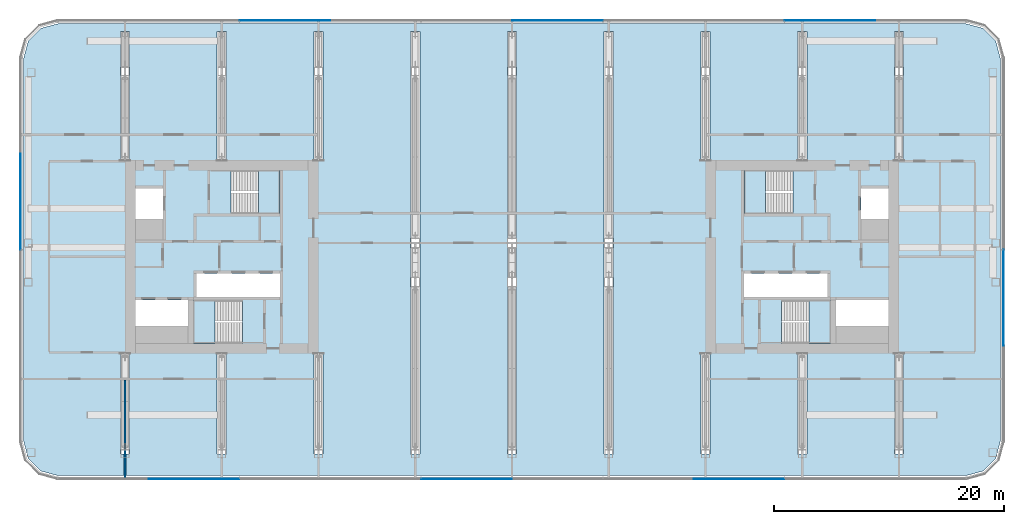
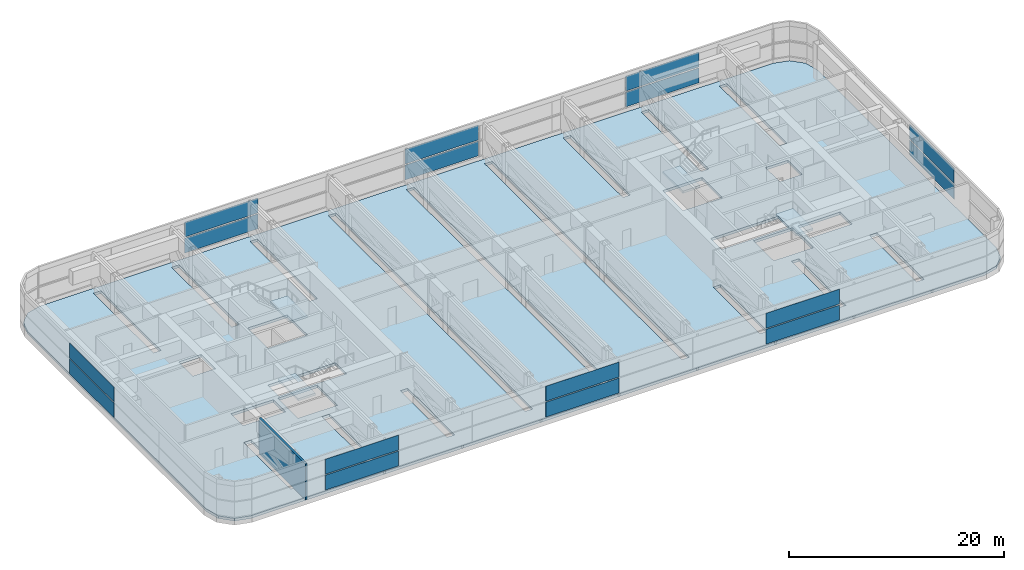
# One storey, part 14 of 33: 16 plates, 5 slabs, 1 wall, 8 elements without a shape of their own.
"""IFC4 building model written with IfcOpenShell, lengths in metres."""

from ifc_helpers import new_model, si_unit, direction, frame, frame_2d, origin, origin_2d, place, context, subcontext, project, spatial, polyline, rectangle, outline, extrude, material, layer, layer_set, type_object, element, aggregate, save


model = new_model("IFC4")

# Units and contexts
model_context = context("Model", 3, precision=1e-05, world=origin(), true_north=direction((0.0, 1.0)))
body_context = subcontext(model_context, "Body", "Model", "MODEL_VIEW")
ifc_project = project(units=[si_unit("LENGTHUNIT", "METRE"), si_unit("AREAUNIT", "SQUARE_METRE"), si_unit("VOLUMEUNIT", "CUBIC_METRE"), si_unit("PLANEANGLEUNIT", "RADIAN"), si_unit("MASSUNIT", "GRAM", prefix="KILO")], contexts=[model_context])

# Site, building, storey
site_placement = place(None, origin())
site = spatial("IfcSite", under=ifc_project, at=site_placement, CompositionType="ELEMENT")
building_placement = place(site_placement, origin())
building = spatial("IfcBuilding", under=site, at=building_placement, Name="Hakoniwa Tower and Hamabe Station Hall", CompositionType="ELEMENT")
storey_placement = place(building_placement, frame((0.0, 0.0, 175.800048828125)))
storey = spatial("IfcBuildingStorey", under=building, at=storey_placement, Name="L50", CompositionType="ELEMENT", Elevation=175.800048828125)

# Stair, slab
ifc_material_1 = material(Name="Concrete C40", Category="concrete")
stair_type = type_object("IfcStairType", Name="ESCAPE STAIR 1800", PredefinedType="HALF_TURN_STAIR", material=ifc_material_1)
stair_1_placement = place(storey_placement, origin())
stair_1 = element("IfcStair", 1, at=stair_1_placement, inside=storey, type_object=stair_type, Name="Escape stair ST-1 L50", PredefinedType="HALF_TURN_STAIR")
ifc_material_2 = material(Name="Concrete C40", Category="concrete")
ifc_layer_1 = layer(ifc_material_2, 0.25)
ifc_layer_set_1 = layer_set([ifc_layer_1], Name="CORE STAIR LANDING 250")
slab_type_1 = type_object("IfcSlabType", Name="CORE STAIR LANDING 250", PredefinedType="LANDING", material=ifc_layer_set_1)
slab_1_placement = place(storey_placement, frame((0.0, 0.0, 1.949951171875)))
slab_1 = element("IfcSlab", 2, at=slab_1_placement, type_object=slab_type_1, Name="ST-1 landing 1", PredefinedType="LANDING", context=body_context, shape_type="SweptSolid", body=[
    extrude(outline(polyline([(-22.0, 3.75), (-20.14990234375, 3.75), (-20.14990234375, 7.5), (-22.0, 7.5), (-22.0, 3.75)])), origin(), (0.0, 0.0, 1.0), 0.25),
])
aggregate(stair_1, [slab_1])

stair_2_placement = place(storey_placement, origin())
stair_2 = element("IfcStair", 3, at=stair_2_placement, inside=storey, type_object=stair_type, Name="Escape stair ST-2 L50", PredefinedType="HALF_TURN_STAIR")
slab_2_placement = place(storey_placement, frame((0.0, 0.0, 1.949951171875)))
slab_2 = element("IfcSlab", 4, at=slab_2_placement, type_object=slab_type_1, Name="ST-2 landing 1", PredefinedType="LANDING", context=body_context, shape_type="SweptSolid", body=[
    extrude(outline(polyline([(-25.800048828125, -7.5), (-27.64990234375, -7.5), (-27.64990234375, -3.75), (-25.800048828125, -3.75), (-25.800048828125, -7.5)])), origin(), (0.0, 0.0, 1.0), 0.25),
])
aggregate(stair_2, [slab_2])

stair_3_placement = place(storey_placement, origin())
stair_3 = element("IfcStair", 5, at=stair_3_placement, inside=storey, type_object=stair_type, Name="Escape stair ST-3 L50", PredefinedType="HALF_TURN_STAIR")
slab_3_placement = place(storey_placement, frame((0.0, 0.0, 1.949951171875)))
slab_3 = element("IfcSlab", 6, at=slab_3_placement, type_object=slab_type_1, Name="ST-3 landing 1", PredefinedType="LANDING", context=body_context, shape_type="SweptSolid", body=[
    extrude(outline(polyline([(22.0, 3.75), (20.14990234375, 3.75), (20.14990234375, 7.5), (22.0, 7.5), (22.0, 3.75)])), origin(), (0.0, 0.0, 1.0), 0.25),
])
aggregate(stair_3, [slab_3])

stair_4_placement = place(storey_placement, origin())
stair_4 = element("IfcStair", 7, at=stair_4_placement, inside=storey, type_object=stair_type, Name="Escape stair ST-4 L50", PredefinedType="HALF_TURN_STAIR")
slab_4_placement = place(storey_placement, frame((0.0, 0.0, 1.949951171875)))
slab_4 = element("IfcSlab", 8, at=slab_4_placement, type_object=slab_type_1, Name="ST-4 landing 1", PredefinedType="LANDING", context=body_context, shape_type="SweptSolid", body=[
    extrude(outline(polyline([(25.800048828125, -7.5), (27.64990234375, -7.5), (27.64990234375, -3.75), (25.800048828125, -3.75), (25.800048828125, -7.5)])), origin(), (0.0, 0.0, 1.0), 0.25),
])
aggregate(stair_4, [slab_4])

# Curtain wall, plates
ifc_material_3 = material(Name="Dark low-e laminated glass", Category="glass")
ifc_layer_2 = layer(ifc_material_3, 0.199951171875)
ifc_layer_set_2 = layer_set([ifc_layer_2], Name="CW-6 PLANT LOUVRE")
curtain_wall_type = type_object("IfcCurtainWallType", Name="CW-6 PLANT LOUVRE", PredefinedType="NOTDEFINED", material=ifc_layer_set_2)
curtain_wall_1_placement = place(storey_placement, origin())
curtain_wall_1 = element("IfcCurtainWall", 9, at=curtain_wall_1_placement, inside=storey, type_object=curtain_wall_type, Name="CW-6 curtain wall", PredefinedType="NOTDEFINED")
ifc_material_4 = material(Name="Dark low-e laminated glass", Category="glass")
ifc_layer_3 = layer(ifc_material_4, 0.028076171875)
ifc_layer_set_3 = layer_set([ifc_layer_3], Name="CW-1 GLASS UNIT")
plate_type = type_object("IfcPlateType", Name="CW-1 GLASS UNIT", PredefinedType="CURTAIN_PANEL", material=ifc_layer_set_3)
plate_1_placement = place(storey_placement, frame((42.68603515625, -3.541015625, 0.35009765625), z_axis=(0.0, 0.0, 1.0), x_axis=(0.0, 1.0, 0.0)))
plate_1 = element("IfcPlate", 10, at=plate_1_placement, type_object=plate_type, Name="CW-6 glass unit", PredefinedType="CURTAIN_PANEL", context=body_context, shape_type="SweptSolid", body=[
    extrude(rectangle(XDim=8.312255859375, YDim=0.028076171875, at=origin_2d()), origin(), (0.0, 0.0, 1.0), 1.68994140625),
])
plate_2_placement = place(storey_placement, frame((42.68603515625, -3.541015625, 2.159912109375), z_axis=(0.0, 0.0, 1.0), x_axis=(0.0, 1.0, 0.0)))
plate_2 = element("IfcPlate", 11, at=plate_2_placement, type_object=plate_type, Name="CW-6 glass unit", PredefinedType="CURTAIN_PANEL", context=body_context, shape_type="SweptSolid", body=[
    extrude(rectangle(XDim=8.312255859375, YDim=0.028076171875, at=origin_2d()), origin(), (0.0, 0.0, 1.0), 1.68994140625),
])
aggregate(curtain_wall_1, [plate_1, plate_2])

curtain_wall_2_placement = place(storey_placement, origin())
curtain_wall_2 = element("IfcCurtainWall", 12, at=curtain_wall_2_placement, inside=storey, type_object=curtain_wall_type, Name="CW-6 curtain wall", PredefinedType="NOTDEFINED")
plate_3_placement = place(storey_placement, frame((27.607666015625, 20.535888671875, 0.35009765625), z_axis=(0.0, 0.0, 1.0), x_axis=(-1.0, 0.0, 0.0)))
plate_3 = element("IfcPlate", 13, at=plate_3_placement, type_object=plate_type, Name="CW-6 glass unit", PredefinedType="CURTAIN_PANEL", context=body_context, shape_type="SweptSolid", body=[
    extrude(rectangle(XDim=7.867919921875, YDim=0.028076171875, at=origin_2d()), origin(), (0.0, 0.0, 1.0), 1.68994140625),
])
plate_4_placement = place(storey_placement, frame((27.607666015625, 20.535888671875, 2.159912109375), z_axis=(0.0, 0.0, 1.0), x_axis=(-1.0, 0.0, 0.0)))
plate_4 = element("IfcPlate", 14, at=plate_4_placement, type_object=plate_type, Name="CW-6 glass unit", PredefinedType="CURTAIN_PANEL", context=body_context, shape_type="SweptSolid", body=[
    extrude(rectangle(XDim=7.867919921875, YDim=0.028076171875, at=origin_2d()), origin(), (0.0, 0.0, 1.0), 1.68994140625),
])
plate_5_placement = place(storey_placement, frame((3.94384765625, 20.535888671875, 0.35009765625), z_axis=(0.0, 0.0, 1.0), x_axis=(-1.0, 0.0, 0.0)))
plate_5 = element("IfcPlate", 15, at=plate_5_placement, type_object=plate_type, Name="CW-6 glass unit", PredefinedType="CURTAIN_PANEL", context=body_context, shape_type="SweptSolid", body=[
    extrude(rectangle(XDim=7.867919921875, YDim=0.028076171875, at=origin_2d()), origin(), (0.0, 0.0, 1.0), 1.68994140625),
])
plate_6_placement = place(storey_placement, frame((3.94384765625, 20.535888671875, 2.159912109375), z_axis=(0.0, 0.0, 1.0), x_axis=(-1.0, 0.0, 0.0)))
plate_6 = element("IfcPlate", 16, at=plate_6_placement, type_object=plate_type, Name="CW-6 glass unit", PredefinedType="CURTAIN_PANEL", context=body_context, shape_type="SweptSolid", body=[
    extrude(rectangle(XDim=7.867919921875, YDim=0.028076171875, at=origin_2d()), origin(), (0.0, 0.0, 1.0), 1.68994140625),
])
plate_7_placement = place(storey_placement, frame((-19.7197265625, 20.535888671875, 0.35009765625), z_axis=(0.0, 0.0, 1.0), x_axis=(-1.0, 0.0, 0.0)))
plate_7 = element("IfcPlate", 17, at=plate_7_placement, type_object=plate_type, Name="CW-6 glass unit", PredefinedType="CURTAIN_PANEL", context=body_context, shape_type="SweptSolid", body=[
    extrude(rectangle(XDim=7.867919921875, YDim=0.028076171875, at=origin_2d()), origin(), (0.0, 0.0, 1.0), 1.68994140625),
])
plate_8_placement = place(storey_placement, frame((-19.7197265625, 20.535888671875, 2.159912109375), z_axis=(0.0, 0.0, 1.0), x_axis=(-1.0, 0.0, 0.0)))
plate_8 = element("IfcPlate", 18, at=plate_8_placement, type_object=plate_type, Name="CW-6 glass unit", PredefinedType="CURTAIN_PANEL", context=body_context, shape_type="SweptSolid", body=[
    extrude(rectangle(XDim=7.867919921875, YDim=0.028076171875, at=origin_2d()), origin(), (0.0, 0.0, 1.0), 1.68994140625),
])
aggregate(curtain_wall_2, [plate_3, plate_4, plate_5, plate_6, plate_7, plate_8])

curtain_wall_3_placement = place(storey_placement, origin())
curtain_wall_3 = element("IfcCurtainWall", 19, at=curtain_wall_3_placement, inside=storey, type_object=curtain_wall_type, Name="CW-6 curtain wall", PredefinedType="NOTDEFINED")
plate_9_placement = place(storey_placement, frame((-42.68603515625, 4.791015625, 0.35009765625), z_axis=(0.0, 0.0, 1.0), x_axis=(0.0, -1.0, 0.0)))
plate_9 = element("IfcPlate", 20, at=plate_9_placement, type_object=plate_type, Name="CW-6 glass unit", PredefinedType="CURTAIN_PANEL", context=body_context, shape_type="SweptSolid", body=[
    extrude(rectangle(XDim=8.312255859375, YDim=0.028076171875, at=origin_2d()), origin(), (0.0, 0.0, 1.0), 1.68994140625),
])
plate_10_placement = place(storey_placement, frame((-42.68603515625, 4.791015625, 2.159912109375), z_axis=(0.0, 0.0, 1.0), x_axis=(0.0, -1.0, 0.0)))
plate_10 = element("IfcPlate", 21, at=plate_10_placement, type_object=plate_type, Name="CW-6 glass unit", PredefinedType="CURTAIN_PANEL", context=body_context, shape_type="SweptSolid", body=[
    extrude(rectangle(XDim=8.312255859375, YDim=0.028076171875, at=origin_2d()), origin(), (0.0, 0.0, 1.0), 1.68994140625),
])
aggregate(curtain_wall_3, [plate_9, plate_10])

curtain_wall_4_placement = place(storey_placement, origin())
curtain_wall_4 = element("IfcCurtainWall", 22, at=curtain_wall_4_placement, inside=storey, type_object=curtain_wall_type, Name="CW-6 curtain wall", PredefinedType="NOTDEFINED")
plate_11_placement = place(storey_placement, frame((-27.607666015625, -19.285888671875, 0.35009765625), z_axis=(0.0, 0.0, 1.0), x_axis=(1.0, 0.0, 0.0)))
plate_11 = element("IfcPlate", 23, at=plate_11_placement, type_object=plate_type, Name="CW-6 glass unit", PredefinedType="CURTAIN_PANEL", context=body_context, shape_type="SweptSolid", body=[
    extrude(rectangle(XDim=7.867919921875, YDim=0.028076171875, at=origin_2d()), origin(), (0.0, 0.0, 1.0), 1.68994140625),
])
plate_12_placement = place(storey_placement, frame((-27.607666015625, -19.285888671875, 2.159912109375), z_axis=(0.0, 0.0, 1.0), x_axis=(1.0, 0.0, 0.0)))
plate_12 = element("IfcPlate", 24, at=plate_12_placement, type_object=plate_type, Name="CW-6 glass unit", PredefinedType="CURTAIN_PANEL", context=body_context, shape_type="SweptSolid", body=[
    extrude(rectangle(XDim=7.867919921875, YDim=0.028076171875, at=origin_2d()), origin(), (0.0, 0.0, 1.0), 1.68994140625),
])
plate_13_placement = place(storey_placement, frame((-3.94384765625, -19.285888671875, 0.35009765625), z_axis=(0.0, 0.0, 1.0), x_axis=(1.0, 0.0, 0.0)))
plate_13 = element("IfcPlate", 25, at=plate_13_placement, type_object=plate_type, Name="CW-6 glass unit", PredefinedType="CURTAIN_PANEL", context=body_context, shape_type="SweptSolid", body=[
    extrude(rectangle(XDim=7.867919921875, YDim=0.028076171875, at=origin_2d()), origin(), (0.0, 0.0, 1.0), 1.68994140625),
])
plate_14_placement = place(storey_placement, frame((-3.94384765625, -19.285888671875, 2.159912109375), z_axis=(0.0, 0.0, 1.0), x_axis=(1.0, 0.0, 0.0)))
plate_14 = element("IfcPlate", 26, at=plate_14_placement, type_object=plate_type, Name="CW-6 glass unit", PredefinedType="CURTAIN_PANEL", context=body_context, shape_type="SweptSolid", body=[
    extrude(rectangle(XDim=7.867919921875, YDim=0.028076171875, at=origin_2d()), origin(), (0.0, 0.0, 1.0), 1.68994140625),
])
plate_15_placement = place(storey_placement, frame((19.7197265625, -19.285888671875, 0.35009765625), z_axis=(0.0, 0.0, 1.0), x_axis=(1.0, 0.0, 0.0)))
plate_15 = element("IfcPlate", 27, at=plate_15_placement, type_object=plate_type, Name="CW-6 glass unit", PredefinedType="CURTAIN_PANEL", context=body_context, shape_type="SweptSolid", body=[
    extrude(rectangle(XDim=7.867919921875, YDim=0.028076171875, at=origin_2d()), origin(), (0.0, 0.0, 1.0), 1.68994140625),
])
plate_16_placement = place(storey_placement, frame((19.7197265625, -19.285888671875, 2.159912109375), z_axis=(0.0, 0.0, 1.0), x_axis=(1.0, 0.0, 0.0)))
plate_16 = element("IfcPlate", 28, at=plate_16_placement, type_object=plate_type, Name="CW-6 glass unit", PredefinedType="CURTAIN_PANEL", context=body_context, shape_type="SweptSolid", body=[
    extrude(rectangle(XDim=7.867919921875, YDim=0.028076171875, at=origin_2d()), origin(), (0.0, 0.0, 1.0), 1.68994140625),
])
aggregate(curtain_wall_4, [plate_11, plate_12, plate_13, plate_14, plate_15, plate_16])

# Slab
ifc_material_5 = material(Name="Concrete C40", Category="concrete")
ifc_layer_4 = layer(ifc_material_5, 0.300048828125)
ifc_layer_set_4 = layer_set([ifc_layer_4], Name="TRANSFER FLOOR SLAB 300")
slab_type_2 = type_object("IfcSlabType", Name="TRANSFER FLOOR SLAB 300", PredefinedType="FLOOR", material=ifc_layer_set_4)
slab_5_placement = place(storey_placement, frame((0.0, 0.0, -0.300048828125)))
element("IfcSlab", 29, at=slab_5_placement, inside=storey, type_object=slab_type_2, Name="Floor slab L50", PredefinedType="FLOOR", context=body_context, shape_type="SweptSolid", body=[
    extrude(outline(polyline([(42.39990234375, -16.0), (42.39990234375, 17.25), (41.998046875, 18.75), (40.89990234375, 19.84814453125), (39.39990234375, 20.25), (-39.39990234375, 20.25), (-40.89990234375, 19.84814453125), (-41.998046875, 18.75), (-42.39990234375, 17.25), (-42.39990234375, -16.0), (-41.998046875, -17.5), (-40.89990234375, -18.59814453125), (-39.39990234375, -19.0), (39.39990234375, -19.0), (40.89990234375, -18.59814453125), (41.998046875, -17.5), (42.39990234375, -16.0)]), holes=[polyline([(-27.39990234375, -3.5), (-27.39990234375, -1.449951171875), (-20.14990234375, -1.449951171875), (-20.14990234375, -3.5), (-27.39990234375, -3.5)]), polyline([(-32.699951171875, 3.300048828125), (-32.699951171875, 5.949951171875), (-30.300048828125, 5.949951171875), (-30.300048828125, 3.300048828125), (-32.699951171875, 3.300048828125)]), polyline([(-32.699951171875, -6.0), (-32.699951171875, -3.75), (-28.14990234375, -3.75), (-28.14990234375, -6.0), (-32.699951171875, -6.0)]), polyline([(-24.389892578125, 3.75), (-24.389892578125, 7.5), (-20.14990234375, 7.5), (-20.14990234375, 3.75), (-24.389892578125, 3.75)]), polyline([(-27.64990234375, -7.5), (-27.64990234375, -3.75), (-23.409912109375, -3.75), (-23.409912109375, -7.5), (-27.64990234375, -7.5)]), polyline([(20.14990234375, -3.5), (20.14990234375, -1.449951171875), (27.39990234375, -1.449951171875), (27.39990234375, -3.5), (20.14990234375, -3.5)]), polyline([(30.300048828125, 3.300048828125), (30.300048828125, 5.949951171875), (32.699951171875, 5.949951171875), (32.699951171875, 3.300048828125), (30.300048828125, 3.300048828125)]), polyline([(28.14990234375, -6.0), (28.14990234375, -3.75), (32.699951171875, -3.75), (32.699951171875, -6.0), (28.14990234375, -6.0)]), polyline([(20.14990234375, 3.75), (20.14990234375, 7.5), (24.389892578125, 7.5), (24.389892578125, 3.75), (20.14990234375, 3.75)]), polyline([(23.409912109375, -7.5), (23.409912109375, -3.75), (27.64990234375, -3.75), (27.64990234375, -7.5), (23.409912109375, -7.5)]), polyline([(-33.199951171875, -17.10009765625), (-34.0, -17.10009765625), (-34.0, -8.39990234375), (-33.199951171875, -8.39990234375), (-33.199951171875, -17.10009765625)]), polyline([(-25.60009765625, -17.10009765625), (-25.60009765625, -8.39990234375), (-24.800048828125, -8.39990234375), (-24.800048828125, -17.10009765625), (-25.60009765625, -17.10009765625)]), polyline([(-17.199951171875, -17.10009765625), (-17.199951171875, -8.39990234375), (-16.39990234375, -8.39990234375), (-16.39990234375, -17.10009765625), (-17.199951171875, -17.10009765625)]), polyline([(-8.800048828125, -17.10009765625), (-8.800048828125, 19.550048828125), (-8.0, 19.550048828125), (-8.0, -17.10009765625), (-8.800048828125, -17.10009765625)]), polyline([(-0.39990234375, -17.10009765625), (-0.39990234375, 19.550048828125), (0.39990234375, 19.550048828125), (0.39990234375, -17.10009765625), (-0.39990234375, -17.10009765625)]), polyline([(-34.0, 8.39990234375), (-34.0, 19.550048828125), (-33.199951171875, 19.550048828125), (-33.199951171875, 8.39990234375), (-34.0, 8.39990234375)]), polyline([(-25.60009765625, 8.39990234375), (-25.60009765625, 19.550048828125), (-24.800048828125, 19.550048828125), (-24.800048828125, 8.39990234375), (-25.60009765625, 8.39990234375)]), polyline([(-17.199951171875, 8.39990234375), (-17.199951171875, 19.550048828125), (-16.39990234375, 19.550048828125), (-16.39990234375, 8.39990234375), (-17.199951171875, 8.39990234375)]), polyline([(16.39990234375, -17.10009765625), (16.39990234375, -8.39990234375), (17.199951171875, -8.39990234375), (17.199951171875, -17.10009765625), (16.39990234375, -17.10009765625)]), polyline([(24.800048828125, -17.10009765625), (24.800048828125, -8.39990234375), (25.60009765625, -8.39990234375), (25.60009765625, -17.10009765625), (24.800048828125, -17.10009765625)]), polyline([(33.199951171875, -17.10009765625), (33.199951171875, -8.39990234375), (34.0, -8.39990234375), (34.0, -17.10009765625), (33.199951171875, -17.10009765625)]), polyline([(8.0, -17.10009765625), (8.0, 19.550048828125), (8.800048828125, 19.550048828125), (8.800048828125, -17.10009765625), (8.0, -17.10009765625)]), polyline([(16.39990234375, 8.39990234375), (16.39990234375, 19.550048828125), (17.199951171875, 19.550048828125), (17.199951171875, 8.39990234375), (16.39990234375, 8.39990234375)]), polyline([(24.800048828125, 8.39990234375), (24.800048828125, 19.550048828125), (25.60009765625, 19.550048828125), (25.60009765625, 8.39990234375), (24.800048828125, 8.39990234375)]), polyline([(33.199951171875, 8.39990234375), (33.199951171875, 19.550048828125), (34.0, 19.550048828125), (34.0, 8.39990234375), (33.199951171875, 8.39990234375)])]), origin(), (0.0, 0.0, 1.0), 0.300048828125),
])

# Wall
ifc_material_6 = material(Name="Fire-rated gypsum board partition", Category="gypsum")
ifc_layer_5 = layer(ifc_material_6, 0.199951171875)
ifc_layer_set_5 = layer_set([ifc_layer_5], Name="Party Wall 200")
wall_type = type_object("IfcWallType", Name="Party Wall 200", PredefinedType="PARTITIONING", material=ifc_layer_set_5)
wall_placement = place(storey_placement, frame((-33.60009765625, -19.300048828125, 0.0), z_axis=(0.0, 0.0, 1.0), x_axis=(0.0, 1.0, 0.0)))
element("IfcWall", 30, at=wall_placement, inside=storey, type_object=wall_type, Name="GW-L50-014", PredefinedType="PARTITIONING", context=body_context, shape_type="SweptSolid", body=[
    extrude(rectangle(XDim=8.60009765625, YDim=0.199951171875, at=frame_2d((4.300048828125, 0.0))), origin(), (0.0, 0.0, 1.0), 4.099853515625),
])

save(model, "model.ifc")
